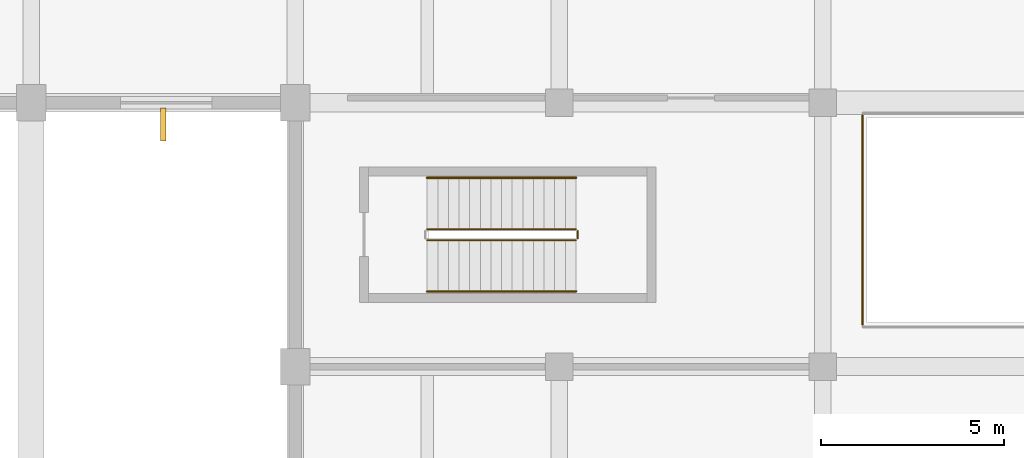
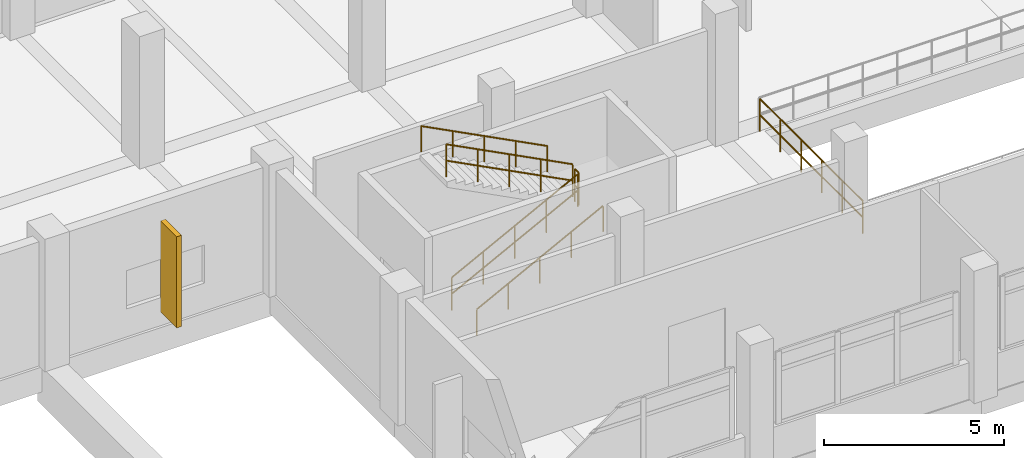
# One storey, part 135 of 141: 6 railings, 1 shading device.
"""IFC4 building model written with IfcOpenShell, lengths in metres."""

from ifc_helpers import new_model, si_unit, direction, frame, origin, origin_2d, place, context, subcontext, project, spatial, rectangle, circle, extrude, material, type_object, element, save


model = new_model("IFC4")

# Units and contexts
model_context = context("Model", 3, precision=1e-05, world=origin(), true_north=direction((0.0, 1.0)))
body_context = subcontext(model_context, "Body", "Model", "MODEL_VIEW")
ifc_project = project(units=[si_unit("LENGTHUNIT", "METRE"), si_unit("AREAUNIT", "SQUARE_METRE"), si_unit("VOLUMEUNIT", "CUBIC_METRE"), si_unit("PLANEANGLEUNIT", "RADIAN"), si_unit("MASSUNIT", "GRAM", prefix="KILO")], contexts=[model_context])

# Site, building, storey
site_placement = place(None, origin())
site = spatial("IfcSite", under=ifc_project, at=site_placement, CompositionType="ELEMENT")
building_placement = place(site_placement, origin())
building = spatial("IfcBuilding", under=site, at=building_placement, Name="Seraya Terrace Polytechnic", CompositionType="ELEMENT")
storey_placement = place(building_placement, frame((0.0, 0.0, 14.39990234375)))
storey = spatial("IfcBuildingStorey", under=building, at=storey_placement, Name="L03", CompositionType="ELEMENT", Elevation=14.39990234375)

# Shading device
ifc_material_1 = material(Name="Precast concrete C40/50", Category="concrete")
shading_device_type = type_object("IfcShadingDeviceType", Name="BS-F1", PredefinedType="JALOUSIE", material=ifc_material_1)
shading_device_placement = place(storey_placement, frame((39.60009765625, 13.804931640625, 0.449951171875), z_axis=(0.0, 0.0, 1.0), x_axis=(0.0, -1.0, 0.0)))
element("IfcShadingDevice", 1, at=shading_device_placement, inside=storey, type_object=shading_device_type, Name="Precast concrete brise-soleil fin L03", PredefinedType="JALOUSIE", context=body_context, shape_type="SweptSolid", body=[
    extrude(rectangle(XDim=0.89990234375, YDim=0.14990234375, at=origin_2d()), origin(), (0.0, 0.0, 1.0), 3.10009765625),
])

# Railings
ifc_material_2 = material(Name="Steel S355J2", Category="steel")
railing_type_1 = type_object("IfcRailingType", Name="GR-02", PredefinedType="GUARDRAIL", material=ifc_material_2)
railing_1_placement = place(storey_placement, frame((46.800048828125, 10.64990234375, 0.150146484375)))
element("IfcRailing", 2, at=railing_1_placement, inside=storey, type_object=railing_type_1, Name="L03 ST-03 stair guard 1", PredefinedType="GUARDRAIL", context=body_context, shape_type="SweptSolid", body=[
    extrude(circle(Radius=0.02392578125, at=origin_2d()), frame((0.0, 0.0, 1.10595703125), z_axis=(0.888233425583, 0.0, 0.459392404897), x_axis=(0.0, 1.0, 0.0)), (0.0, 0.0, 1.0), 4.571044921875),
    extrude(circle(Radius=0.02392578125, at=origin_2d()), frame((0.0, 0.0, 0.550048828125), z_axis=(0.888233425583, 0.0, 0.459392404897), x_axis=(0.0, 1.0, 0.0)), (0.0, 0.0, 1.0), 4.571044921875),
    extrude(circle(Radius=0.02099609375, at=origin_2d()), origin(), (0.0, 0.0, 1.0), 1.081787109375),
    extrude(circle(Radius=0.02099609375, at=origin_2d()), frame((1.01513671875, 0.0, 0.52490234375)), (0.0, 0.0, 1.0), 1.081787109375),
    extrude(circle(Radius=0.02099609375, at=origin_2d()), frame((2.030029296875, 0.0, 1.0498046875)), (0.0, 0.0, 1.0), 1.081787109375),
    extrude(circle(Radius=0.02099609375, at=origin_2d()), frame((3.044921875, 0.0, 1.574951171875)), (0.0, 0.0, 1.0), 1.081787109375),
    extrude(circle(Radius=0.02099609375, at=origin_2d()), frame((4.06005859375, 0.0, 2.099853515625)), (0.0, 0.0, 1.0), 1.081787109375),
])
railing_2_placement = place(storey_placement, frame((50.909912109375, 10.699951171875, 2.25)))
element("IfcRailing", 3, at=railing_2_placement, inside=storey, type_object=railing_type_1, Name="L03 ST-03 stair guard 2", PredefinedType="GUARDRAIL", context=body_context, shape_type="SweptSolid", body=[
    extrude(circle(Radius=0.02392578125, at=origin_2d()), frame((0.0, 0.0, 1.10595703125), z_axis=(0.0, 1.0, 0.0), x_axis=(-1.0, 0.0, 0.0)), (0.0, 0.0, 1.0), 0.199951171875),
    extrude(circle(Radius=0.02392578125, at=origin_2d()), frame((0.0, 0.0, 0.550048828125), z_axis=(0.0, 1.0, 0.0), x_axis=(-1.0, 0.0, 0.0)), (0.0, 0.0, 1.0), 0.199951171875),
    extrude(circle(Radius=0.02099609375, at=origin_2d()), origin(), (0.0, 0.0, 1.0), 1.081787109375),
    extrude(circle(Radius=0.02099609375, at=origin_2d()), frame((0.0, 0.199951171875, 0.0)), (0.0, 0.0, 1.0), 1.081787109375),
])
railing_3_placement = place(storey_placement, frame((50.860107421875, 10.949951171875, 2.400146484375)))
element("IfcRailing", 4, at=railing_3_placement, inside=storey, type_object=railing_type_1, Name="L03 ST-03 stair guard 3", PredefinedType="GUARDRAIL", context=body_context, shape_type="SweptSolid", body=[
    extrude(circle(Radius=0.02392578125, at=origin_2d()), frame((0.0, 0.0, 1.10595703125), z_axis=(-0.888233425583, 0.0, 0.459392404897), x_axis=(0.0, -1.0, 0.0)), (0.0, 0.0, 1.0), 4.571044921875),
    extrude(circle(Radius=0.02392578125, at=origin_2d()), frame((0.0, 0.0, 0.550048828125), z_axis=(-0.888233425583, 0.0, 0.459392404897), x_axis=(0.0, -1.0, 0.0)), (0.0, 0.0, 1.0), 4.571044921875),
    extrude(circle(Radius=0.02099609375, at=origin_2d()), origin(), (0.0, 0.0, 1.0), 1.081787109375),
    extrude(circle(Radius=0.02099609375, at=origin_2d()), frame((-1.01513671875, 0.0, 0.52490234375)), (0.0, 0.0, 1.0), 1.081787109375),
    extrude(circle(Radius=0.02099609375, at=origin_2d()), frame((-2.030029296875, 0.0, 1.0498046875)), (0.0, 0.0, 1.0), 1.081787109375),
    extrude(circle(Radius=0.02099609375, at=origin_2d()), frame((-3.044921875, 0.0, 1.574951171875)), (0.0, 0.0, 1.0), 1.081787109375),
    extrude(circle(Radius=0.02099609375, at=origin_2d()), frame((-4.06005859375, 0.0, 2.099853515625)), (0.0, 0.0, 1.0), 1.081787109375),
])
railing_4_placement = place(storey_placement, frame((58.679931640625, 8.340087890625, 0.0)))
element("IfcRailing", 5, at=railing_4_placement, inside=storey, type_object=railing_type_1, Name="Atrium void perimeter guardrail VOID-LIB-L03 W", PredefinedType="GUARDRAIL", context=body_context, shape_type="SweptSolid", body=[
    extrude(circle(Radius=0.02392578125, at=origin_2d()), frame((0.0, 0.0, 1.10595703125), z_axis=(0.0, 1.0, 0.0), x_axis=(-1.0, 0.0, 0.0)), (0.0, 0.0, 1.0), 5.719970703125),
    extrude(circle(Radius=0.02392578125, at=origin_2d()), frame((0.0, 0.0, 0.550048828125), z_axis=(0.0, 1.0, 0.0), x_axis=(-1.0, 0.0, 0.0)), (0.0, 0.0, 1.0), 5.719970703125),
    extrude(circle(Radius=0.02099609375, at=origin_2d()), origin(), (0.0, 0.0, 1.0), 1.081787109375),
    extrude(circle(Radius=0.02099609375, at=origin_2d()), frame((0.0, 1.14404296875, 0.0)), (0.0, 0.0, 1.0), 1.081787109375),
    extrude(circle(Radius=0.02099609375, at=origin_2d()), frame((0.0, 2.2880859375, 0.0)), (0.0, 0.0, 1.0), 1.081787109375),
    extrude(circle(Radius=0.02099609375, at=origin_2d()), frame((0.0, 3.431884765625, 0.0)), (0.0, 0.0, 1.0), 1.081787109375),
    extrude(circle(Radius=0.02099609375, at=origin_2d()), frame((0.0, 4.575927734375, 0.0)), (0.0, 0.0, 1.0), 1.081787109375),
    extrude(circle(Radius=0.02099609375, at=origin_2d()), frame((0.0, 5.719970703125, 0.0)), (0.0, 0.0, 1.0), 1.081787109375),
])
railing_type_2 = type_object("IfcRailingType", Name="HR-01", PredefinedType="HANDRAIL", material=ifc_material_2)
railing_5_placement = place(storey_placement, frame((46.800048828125, 9.25, 0.150146484375)))
element("IfcRailing", 6, at=railing_5_placement, inside=storey, type_object=railing_type_2, Name="L03 ST-03 stair handrail 1", PredefinedType="HANDRAIL", context=body_context, shape_type="SweptSolid", body=[
    extrude(circle(Radius=0.02392578125, at=origin_2d()), frame((0.0, 0.0, 0.8759765625), z_axis=(0.888233425583, 0.0, 0.459392404897), x_axis=(0.0, 1.0, 0.0)), (0.0, 0.0, 1.0), 4.571044921875),
    extrude(circle(Radius=0.02099609375, at=origin_2d()), origin(), (0.0, 0.0, 1.0), 0.851806640625),
    extrude(circle(Radius=0.02099609375, at=origin_2d()), frame((1.01513671875, 0.0, 0.52490234375)), (0.0, 0.0, 1.0), 0.851806640625),
    extrude(circle(Radius=0.02099609375, at=origin_2d()), frame((2.030029296875, 0.0, 1.0498046875)), (0.0, 0.0, 1.0), 0.851806640625),
    extrude(circle(Radius=0.02099609375, at=origin_2d()), frame((3.044921875, 0.0, 1.574951171875)), (0.0, 0.0, 1.0), 0.851806640625),
    extrude(circle(Radius=0.02099609375, at=origin_2d()), frame((4.06005859375, 0.0, 2.099853515625)), (0.0, 0.0, 1.0), 0.851806640625),
])
railing_6_placement = place(storey_placement, frame((50.860107421875, 12.35009765625, 2.400146484375)))
element("IfcRailing", 7, at=railing_6_placement, inside=storey, type_object=railing_type_2, Name="L03 ST-03 stair handrail 2", PredefinedType="HANDRAIL", context=body_context, shape_type="SweptSolid", body=[
    extrude(circle(Radius=0.02392578125, at=origin_2d()), frame((0.0, 0.0, 0.8759765625), z_axis=(-0.888233425583, 0.0, 0.459392404897), x_axis=(0.0, -1.0, 0.0)), (0.0, 0.0, 1.0), 4.571044921875),
    extrude(circle(Radius=0.02099609375, at=origin_2d()), origin(), (0.0, 0.0, 1.0), 0.851806640625),
    extrude(circle(Radius=0.02099609375, at=origin_2d()), frame((-1.01513671875, 0.0, 0.52490234375)), (0.0, 0.0, 1.0), 0.851806640625),
    extrude(circle(Radius=0.02099609375, at=origin_2d()), frame((-2.030029296875, 0.0, 1.0498046875)), (0.0, 0.0, 1.0), 0.851806640625),
    extrude(circle(Radius=0.02099609375, at=origin_2d()), frame((-3.044921875, 0.0, 1.574951171875)), (0.0, 0.0, 1.0), 0.851806640625),
    extrude(circle(Radius=0.02099609375, at=origin_2d()), frame((-4.06005859375, 0.0, 2.099853515625)), (0.0, 0.0, 1.0), 0.851806640625),
])

save(model, "model.ifc")
